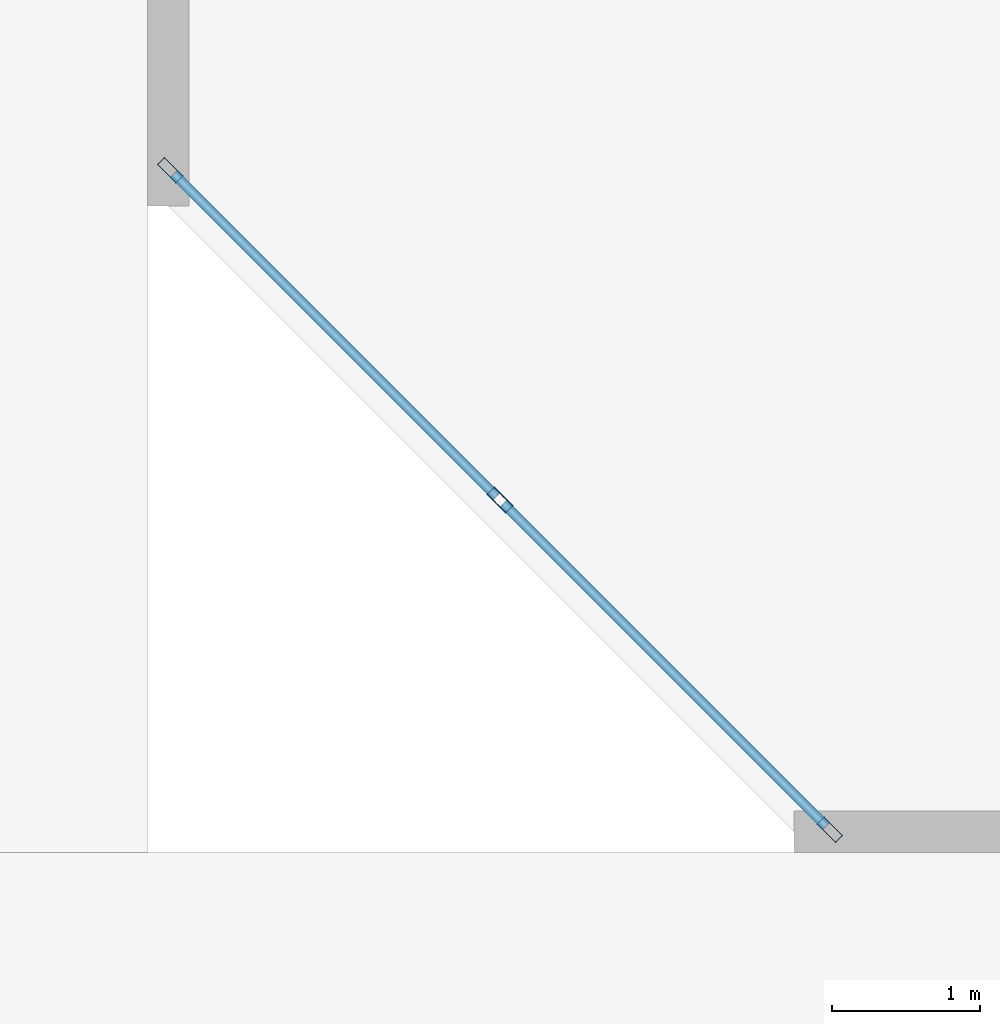
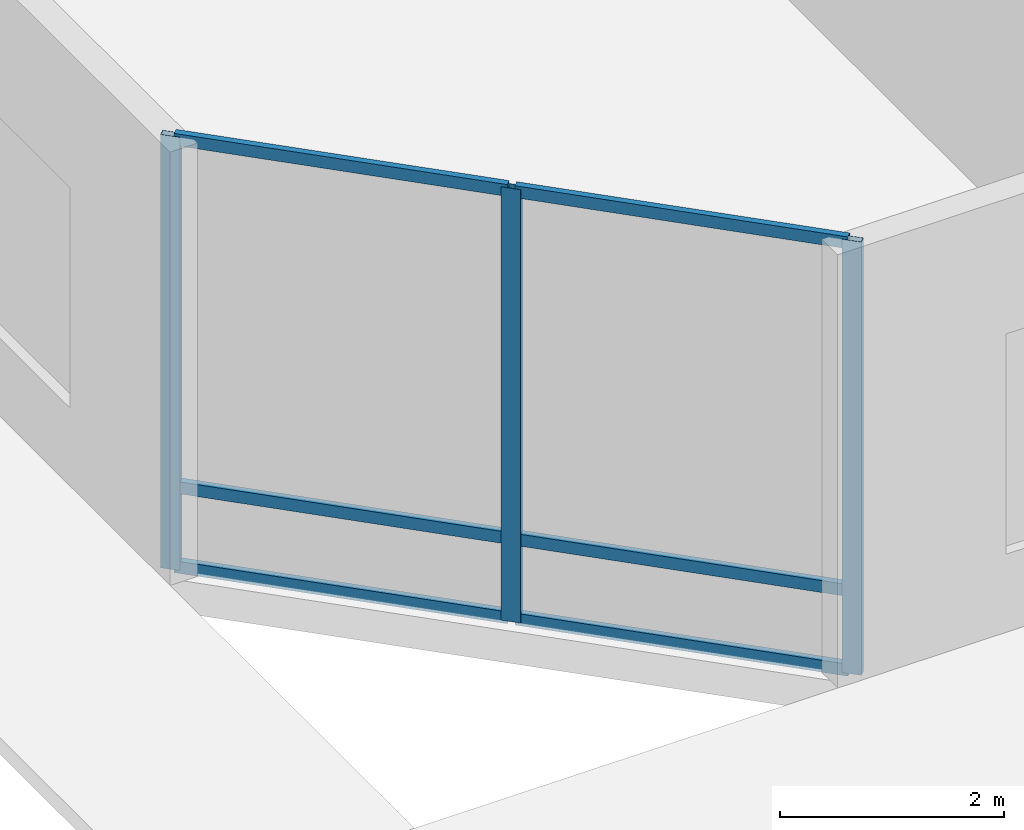
# One storey, part 2 of 23: 9 members, 1 element without a shape of its own.
"""IFC4 building model written with IfcOpenShell, lengths in metres."""

from ifc_helpers import new_model, si_unit, direction, frame, origin, origin_2d, place, context, subcontext, project, spatial, hollow_rectangle, extrude, material, layer, layer_set, material_profile, profile_set, type_object, element, aggregate, save


model = new_model("IFC4")

# Units and contexts
model_context = context("Model", 3, precision=1e-05, world=origin(), true_north=direction((0.0, 1.0)))
body_context = subcontext(model_context, "Body", "Model", "MODEL_VIEW")
ifc_project = project(units=[si_unit("LENGTHUNIT", "METRE"), si_unit("AREAUNIT", "SQUARE_METRE"), si_unit("VOLUMEUNIT", "CUBIC_METRE"), si_unit("PLANEANGLEUNIT", "RADIAN"), si_unit("MASSUNIT", "GRAM", prefix="KILO")], contexts=[model_context])

# Site, building, storey
site_placement = place(None, origin())
site = spatial("IfcSite", under=ifc_project, at=site_placement, CompositionType="ELEMENT")
building_placement = place(site_placement, origin())
building = spatial("IfcBuilding", under=site, at=building_placement, Name="Caelvoria Tower", CompositionType="ELEMENT")
storey_placement = place(building_placement, origin())
storey = spatial("IfcBuildingStorey", under=building, at=storey_placement, Name="L00", CompositionType="ELEMENT", Elevation=0.0)

# Curtain wall, members
ifc_material_1 = material(Name="Anodised Bronze Aluminium and Low-E Glass", Category="aluminium")
ifc_layer = layer(ifc_material_1, 0.199951171875, Name="Anodised Bronze Aluminium and Low-E Glass")
ifc_layer_set = layer_set([ifc_layer], Name="CW System 1 Podium Arcade Unitised Glazing - Anodised Bronze Aluminium and Low-E Glass")
curtain_wall_type = type_object("IfcCurtainWallType", Name="CW System 1 Podium Arcade Unitised Glazing", PredefinedType="NOTDEFINED", material=ifc_layer_set)
curtain_wall_placement = place(storey_placement, origin())
curtain_wall = element("IfcCurtainWall", 1, at=curtain_wall_placement, inside=storey, type_object=curtain_wall_type, Name="CW-01 Curtain Wall L00-E7", PredefinedType="NOTDEFINED")
ifc_material_2 = material(Name="Anodised Bronze Architectural Aluminium", Category="aluminium")
ifc_material_profile_1 = material_profile(ifc_material_2, hollow_rectangle(XDim=0.070068359375, YDim=0.179931640625, WallThickness=0.00390625, at=origin_2d()), Name="Anodised Bronze Architectural Aluminium")
ifc_profile_set_1 = profile_set([ifc_material_profile_1], Name="CW_MULL_70X180 - Anodised Bronze Architectural Aluminium")
member_type_1 = type_object("IfcMemberType", Name="Curtain Wall Mullion 70x180 Bronze Aluminium", PredefinedType="MULLION", material=ifc_profile_set_1)
member_1_placement = place(storey_placement, frame((2.152099609375, 6.6025390625, 0.0), z_axis=(0.0, 0.0, 1.0), x_axis=(0.707106781187, 0.707106781187, 0.0)))
member_1 = element("IfcMember", 2, at=member_1_placement, type_object=member_type_1, Name="CW-01 mullion 1", PredefinedType="MULLION", context=body_context, shape_type="SweptSolid", body=[
    extrude(hollow_rectangle(XDim=0.070068359375, YDim=0.179931640625, WallThickness=0.00390625, at=origin_2d()), origin(), (0.0, 0.0, 1.0), 4.719970703125),
])
member_2_placement = place(storey_placement, frame((4.377197265625, 4.377197265625, 0.0), z_axis=(0.0, 0.0, 1.0), x_axis=(0.707106781187, 0.707106781187, 0.0)))
member_2 = element("IfcMember", 3, at=member_2_placement, type_object=member_type_1, Name="CW-01 mullion 2", PredefinedType="MULLION", context=body_context, shape_type="SweptSolid", body=[
    extrude(hollow_rectangle(XDim=0.070068359375, YDim=0.179931640625, WallThickness=0.00390625, at=origin_2d()), origin(), (0.0, 0.0, 1.0), 4.719970703125),
])
member_3_placement = place(storey_placement, frame((6.6025390625, 2.152099609375, 0.0), z_axis=(0.0, 0.0, 1.0), x_axis=(0.707106781187, 0.707106781187, 0.0)))
member_3 = element("IfcMember", 4, at=member_3_placement, type_object=member_type_1, Name="CW-01 mullion 3", PredefinedType="MULLION", context=body_context, shape_type="SweptSolid", body=[
    extrude(hollow_rectangle(XDim=0.070068359375, YDim=0.179931640625, WallThickness=0.00390625, at=origin_2d()), origin(), (0.0, 0.0, 1.0), 4.719970703125),
])
ifc_material_profile_2 = material_profile(ifc_material_2, hollow_rectangle(XDim=0.06494140625, YDim=0.1298828125, WallThickness=0.00341796875, at=origin_2d()), Name="Anodised Bronze Architectural Aluminium")
ifc_profile_set_2 = profile_set([ifc_material_profile_2], Name="CW_TRAN_65X130 - Anodised Bronze Architectural Aluminium")
member_type_2 = type_object("IfcMemberType", Name="Curtain Wall Transom 65x130 Bronze Aluminium", PredefinedType="USERDEFINED", material=ifc_profile_set_2)
member_4_placement = place(storey_placement, frame((2.1767578125, 6.577880859375, 0.032470703125), z_axis=(0.707106781187, -0.707106781187, 0.0), x_axis=(0.707106781187, 0.707106781187, 0.0)))
member_4 = element("IfcMember", 5, at=member_4_placement, type_object=member_type_2, Name="CW-01 transom 1.1", ObjectType="TRANSOM", PredefinedType="USERDEFINED", context=body_context, shape_type="SweptSolid", body=[
    extrude(hollow_rectangle(XDim=0.06494140625, YDim=0.1298828125, WallThickness=0.00341796875, at=origin_2d()), origin(), (0.0, 0.0, 1.0), 3.076904296875),
])
member_5_placement = place(storey_placement, frame((2.1767578125, 6.577880859375, 0.89990234375), z_axis=(0.707106781187, -0.707106781187, 0.0), x_axis=(0.707106781187, 0.707106781187, 0.0)))
member_5 = element("IfcMember", 6, at=member_5_placement, type_object=member_type_2, Name="CW-01 transom 1.2", ObjectType="TRANSOM", PredefinedType="USERDEFINED", context=body_context, shape_type="SweptSolid", body=[
    extrude(hollow_rectangle(XDim=0.06494140625, YDim=0.1298828125, WallThickness=0.00341796875, at=origin_2d()), origin(), (0.0, 0.0, 1.0), 3.076904296875),
])
member_6_placement = place(storey_placement, frame((2.1767578125, 6.577880859375, 4.6875), z_axis=(0.707106781187, -0.707106781187, 0.0), x_axis=(0.707106781187, 0.707106781187, 0.0)))
member_6 = element("IfcMember", 7, at=member_6_placement, type_object=member_type_2, Name="CW-01 transom 1.3", ObjectType="TRANSOM", PredefinedType="USERDEFINED", context=body_context, shape_type="SweptSolid", body=[
    extrude(hollow_rectangle(XDim=0.06494140625, YDim=0.1298828125, WallThickness=0.00341796875, at=origin_2d()), origin(), (0.0, 0.0, 1.0), 3.076904296875),
])
member_7_placement = place(storey_placement, frame((4.402099609375, 4.3525390625, 0.032470703125), z_axis=(0.707106781187, -0.707106781187, 0.0), x_axis=(0.707106781187, 0.707106781187, 0.0)))
member_7 = element("IfcMember", 8, at=member_7_placement, type_object=member_type_2, Name="CW-01 transom 2.1", ObjectType="TRANSOM", PredefinedType="USERDEFINED", context=body_context, shape_type="SweptSolid", body=[
    extrude(hollow_rectangle(XDim=0.06494140625, YDim=0.1298828125, WallThickness=0.00341796875, at=origin_2d()), origin(), (0.0, 0.0, 1.0), 3.076904296875),
])
member_8_placement = place(storey_placement, frame((4.402099609375, 4.3525390625, 0.89990234375), z_axis=(0.707106781187, -0.707106781187, 0.0), x_axis=(0.707106781187, 0.707106781187, 0.0)))
member_8 = element("IfcMember", 9, at=member_8_placement, type_object=member_type_2, Name="CW-01 transom 2.2", ObjectType="TRANSOM", PredefinedType="USERDEFINED", context=body_context, shape_type="SweptSolid", body=[
    extrude(hollow_rectangle(XDim=0.06494140625, YDim=0.1298828125, WallThickness=0.00341796875, at=origin_2d()), origin(), (0.0, 0.0, 1.0), 3.076904296875),
])
member_9_placement = place(storey_placement, frame((4.402099609375, 4.3525390625, 4.6875), z_axis=(0.707106781187, -0.707106781187, 0.0), x_axis=(0.707106781187, 0.707106781187, 0.0)))
member_9 = element("IfcMember", 10, at=member_9_placement, type_object=member_type_2, Name="CW-01 transom 2.3", ObjectType="TRANSOM", PredefinedType="USERDEFINED", context=body_context, shape_type="SweptSolid", body=[
    extrude(hollow_rectangle(XDim=0.06494140625, YDim=0.1298828125, WallThickness=0.00341796875, at=origin_2d()), origin(), (0.0, 0.0, 1.0), 3.076904296875),
])
aggregate(curtain_wall, [member_1, member_2, member_3, member_4, member_5, member_6, member_7, member_8, member_9])

save(model, "model.ifc")
